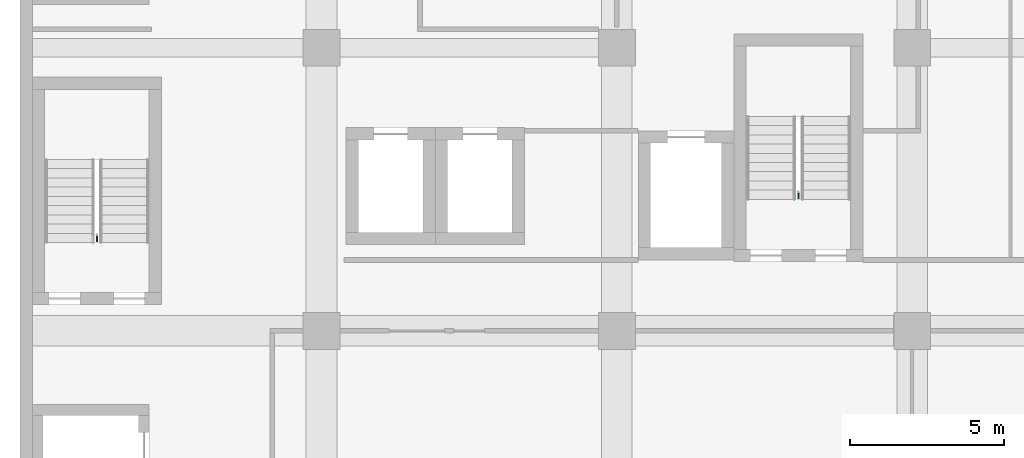
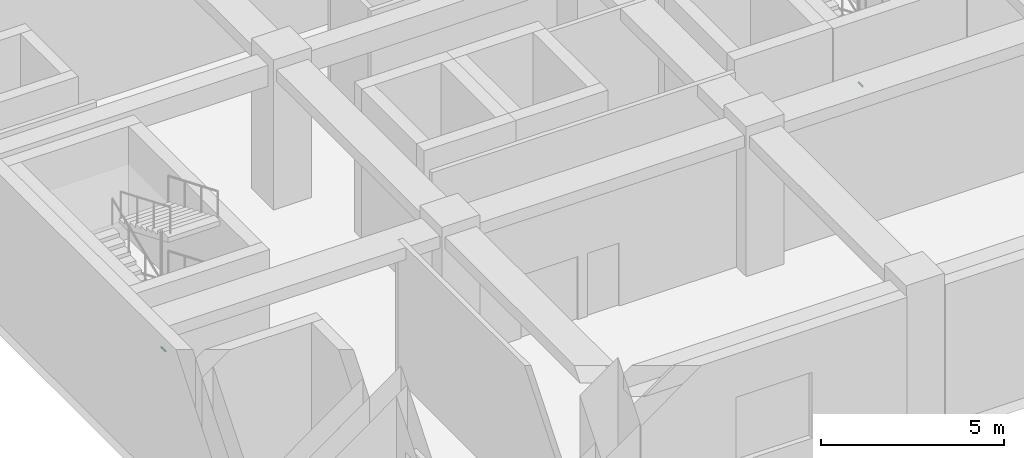
# One storey, part 26 of 31: 2 pipe fittings.
"""IFC4 building model written with IfcOpenShell, lengths in metres."""

from ifc_helpers import new_model, si_unit, direction, frame, origin, origin_2d, place, context, subcontext, project, spatial, circle, extrude, element, save


model = new_model("IFC4")

# Units and contexts
model_context = context("Model", 3, precision=1e-05, world=origin(), true_north=direction((0.0, 1.0)))
body_context = subcontext(model_context, "Body", "Model", "MODEL_VIEW")
ifc_project = project(units=[si_unit("LENGTHUNIT", "METRE"), si_unit("AREAUNIT", "SQUARE_METRE"), si_unit("VOLUMEUNIT", "CUBIC_METRE"), si_unit("PLANEANGLEUNIT", "RADIAN"), si_unit("MASSUNIT", "GRAM", prefix="KILO")], contexts=[model_context])

# Site, building, storey
site_placement = place(None, origin())
site = spatial("IfcSite", under=ifc_project, at=site_placement, CompositionType="ELEMENT")
building_placement = place(site_placement, origin())
building = spatial("IfcBuilding", under=site, at=building_placement, Name="Nzadi Deep Aquarium and Research Tower", CompositionType="ELEMENT")
storey_placement = place(building_placement, frame((0.0, 0.0, 21.699951171875)))
storey = spatial("IfcBuildingStorey", under=building, at=storey_placement, Name="L03", CompositionType="ELEMENT", Elevation=21.699951171875)

# Pipe fittings
for number, where, z_axis, x_axis, name in (
    (1, (2.300048828125, 12.320068359375, 1.10009765625), (0.0, -1.0, 0.0), (1.0, 0.0, 0.0), "Dry riser outlet ST-Z1-SW L03"),
    (2, (25.10009765625, 13.719970703125, 1.10009765625), (0.0, -1.0, 0.0), (1.0, 0.0, 0.0), "Dry riser outlet ST-Z1-SE L03"),
):
    element("IfcPipeFitting", number, at=place(storey_placement, frame(where, z_axis=z_axis, x_axis=x_axis)), inside=storey, Name=name, PredefinedType="EXIT", context=body_context, shape_type="SweptSolid", body=[
        extrude(circle(Radius=0.0224609375, at=origin_2d()), origin(), (0.0, 0.0, 1.0), 0.22998046875),
    ])

save(model, "model.ifc")
